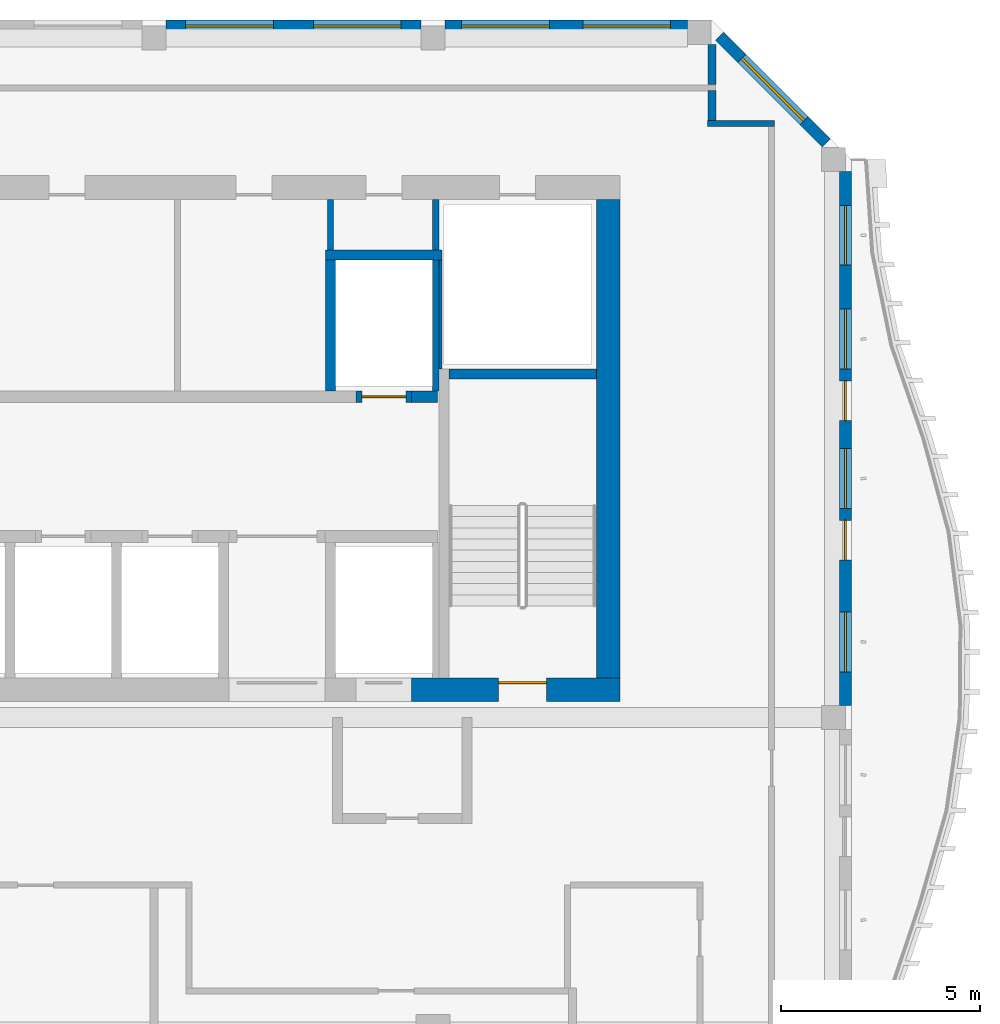
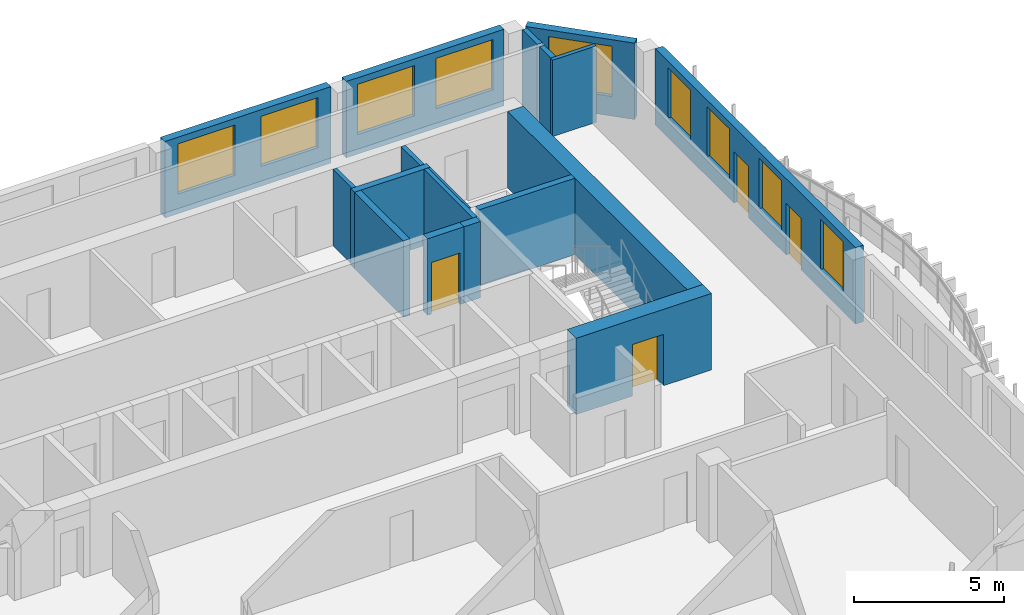
# One storey, part 8 of 17: 18 walls, 9 windows, 4 doors, 13 openings.
"""IFC4 building model written with IfcOpenShell, lengths in metres."""

from ifc_helpers import new_model, si_unit, direction, frame, frame_2d, origin, place, context, subcontext, project, spatial, rectangle, extrude, source, transform, mapped, material, layer, layer_set, type_object, element, fill, save


model = new_model("IFC4")

# Units and contexts
model_context = context("Model", 3, precision=1e-05, world=origin(), true_north=direction((0.0, 1.0)))
body_context = subcontext(model_context, "Body", "Model", "MODEL_VIEW")
ifc_project = project(units=[si_unit("LENGTHUNIT", "METRE"), si_unit("AREAUNIT", "SQUARE_METRE"), si_unit("VOLUMEUNIT", "CUBIC_METRE"), si_unit("PLANEANGLEUNIT", "RADIAN"), si_unit("MASSUNIT", "GRAM", prefix="KILO")], contexts=[model_context])

# Site, building, storey
site_placement = place(None, origin())
site = spatial("IfcSite", under=ifc_project, at=site_placement, CompositionType="ELEMENT")
building_placement = place(site_placement, origin())
building = spatial("IfcBuilding", under=site, at=building_placement, Name="Kilnfold Tower and Market Hall", CompositionType="ELEMENT")
storey_placement = place(building_placement, frame((0.0, 0.0, 301.800048828125)))
storey = spatial("IfcBuildingStorey", under=building, at=storey_placement, Name="L75", CompositionType="ELEMENT", Elevation=301.800048828125)

# Walls
ifc_material_1 = material(Name="Gypsum board on steel studs", Category="steel")
ifc_layer_1 = layer(ifc_material_1, 0.14990234375)
ifc_layer_set_1 = layer_set([ifc_layer_1], Name="Gypsum board on steel studs")
wall_type_1 = type_object("IfcWallType", Name="WALL CORRIDOR 150", PredefinedType="PARTITIONING", material=ifc_layer_set_1)
wall_1_placement = place(storey_placement, frame((21.574951171875, 22.89990234375, 0.0), z_axis=(0.0, 0.0, 1.0), x_axis=(-1.0, 0.0, 0.0)))
element("IfcWall", 1, at=wall_1_placement, inside=storey, type_object=wall_type_1, Name="Partition LY45.5", PredefinedType="PARTITIONING", context=body_context, shape_type="SweptSolid", body=[
    extrude(rectangle(XDim=1.68701171875, YDim=0.14990234375, at=frame_2d((0.843505859375, 0.0))), origin(), (0.0, 0.0, 1.0), 3.119873046875),
])
ifc_material_2 = material(Name="Gypsum board on steel studs", Category="steel")
ifc_layer_2 = layer(ifc_material_2, 0.199951171875)
ifc_layer_set_2 = layer_set([ifc_layer_2], Name="Gypsum board on steel studs")
wall_type_2 = type_object("IfcWallType", Name="WALL PARTY 200", PredefinedType="PARTITIONING", material=ifc_layer_set_2)
wall_2_placement = place(storey_placement, frame((20.0, 23.876953125, 0.0), z_axis=(0.0, 0.0, 1.0), x_axis=(0.0, 1.0, 0.0)))
element("IfcWall", 2, at=wall_2_placement, inside=storey, type_object=wall_type_2, Name="Partition LY45.60", PredefinedType="PARTITIONING", context=body_context, shape_type="SweptSolid", body=[
    extrude(rectangle(XDim=1.005126953125, YDim=0.199951171875, at=frame_2d((0.50244140625, 0.0))), origin(), (0.0, 0.0, 1.0), 3.119873046875),
])
wall_3_placement = place(storey_placement, frame((19.998046875, 23.72705078125, 0.0), z_axis=(0.0, 0.0, 1.0), x_axis=(0.0, -1.0, 0.0)))
element("IfcWall", 3, at=wall_3_placement, inside=storey, type_object=wall_type_2, Name="Partition LY45.61", PredefinedType="PARTITIONING", context=body_context, shape_type="SweptSolid", body=[
    extrude(rectangle(XDim=0.751953125, YDim=0.199951171875, at=frame_2d((0.3759765625, 0.0))), origin(), (0.0, 0.0, 1.0), 3.119873046875),
])
ifc_material_3 = material(Name="Concrete C50", Category="concrete")
ifc_layer_3 = layer(ifc_material_3, 0.25)
ifc_layer_set_3 = layer_set([ifc_layer_3], Name="Concrete C50")
wall_type_3 = type_object("IfcWallType", Name="CORE WALL 250 C50", PredefinedType="SHEAR", material=ifc_layer_set_3)
shared_shape_1 = source(origin(), body_context, "Body", "SweptSolid", [
    extrude(rectangle(XDim=3.7001953125, YDim=0.25, at=frame_2d((1.85009765625, 0.0))), origin(), (0.0, 0.0, 1.0), 3.119873046875),
])
wall_4_placement = place(storey_placement, frame((13.39990234375, 16.625, 0.0), z_axis=(0.0, 0.0, 1.0), x_axis=(1.0, 0.0, 0.0)))
element("IfcWall", 4, at=wall_4_placement, inside=storey, type_object=wall_type_3, Name="Stair enclosure ST2", PredefinedType="SHEAR", context=body_context, shape_type="MappedRepresentation", body=[
    mapped(shared_shape_1, transform((0.0, 0.0, 0.0))),
])
ifc_material_4 = material(Name="Concrete C50", Category="concrete")
ifc_layer_4 = layer(ifc_material_4, 0.300048828125)
ifc_layer_set_4 = layer_set([ifc_layer_4], Name="Concrete C50")
wall_type_4 = type_object("IfcWallType", Name="CORE WALL 300 C50", PredefinedType="SHEAR", material=ifc_layer_set_4)
shared_shape_2 = source(origin(), body_context, "Body", "SweptSolid", [
    extrude(rectangle(XDim=0.64013671875, YDim=0.300048828125, at=frame_2d((0.320068359375, 0.0))), origin(), (0.0, 0.0, 1.0), 3.119873046875),
])
wall_5_placement = place(storey_placement, frame((12.469970703125, 16.050048828125, 0.0), z_axis=(0.0, 0.0, 1.0), x_axis=(1.0, 0.0, 0.0)))
element("IfcWall", 5, at=wall_5_placement, inside=storey, type_object=wall_type_4, Name="Core spine wall", PredefinedType="SHEAR", context=body_context, shape_type="MappedRepresentation", body=[
    mapped(shared_shape_2, transform((0.0, 0.0, 0.0))),
])

# Wall, opening, door
ifc_material_5 = material(Name="Concrete C50", Category="concrete")
ifc_layer_5 = layer(ifc_material_5, 0.60009765625)
ifc_layer_set_5 = layer_set([ifc_layer_5], Name="Concrete C50")
wall_type_5 = type_object("IfcWallType", Name="CORE WALL 600 C50", PredefinedType="SHEAR", material=ifc_layer_set_5)
shared_shape_3 = source(origin(), body_context, "Body", "SweptSolid", [
    extrude(rectangle(XDim=5.22998046875, YDim=0.60009765625, at=frame_2d((2.614990234375, 0.0))), origin(), (0.0, 0.0, 1.0), 3.119873046875),
])
wall_6_placement = place(storey_placement, frame((12.469970703125, 8.699951171875, 0.0), z_axis=(0.0, 0.0, 1.0), x_axis=(1.0, 0.0, 0.0)))
wall_6 = element("IfcWall", 6, at=wall_6_placement, inside=storey, type_object=wall_type_5, Name="Core outer wall south", PredefinedType="SHEAR", context=body_context, shape_type="MappedRepresentation", body=[
    mapped(shared_shape_3, transform((0.0, 0.0, 0.0))),
])
opening_1_placement = place(wall_6_placement, frame((2.179931640625, 0.0, 0.0)))
opening_1 = element("IfcOpeningElement", 7, at=opening_1_placement, cuts=wall_6, Name="Opening SD1", PredefinedType="OPENING", context=body_context, shape_type="SweptSolid", body=[
    extrude(rectangle(XDim=1.199951171875, YDim=2.10009765625, at=frame_2d((0.60009765625, 1.050048828125))), frame((0.0, 0.31005859375, 0.0), z_axis=(0.0, -1.0, 0.0), x_axis=(1.0, 0.0, 0.0)), (0.0, 0.0, 1.0), 0.6201171875),
])
ifc_material_6 = material(Name="Steel door set with fire-resisting leaf", Category="steel")
door_type_1 = type_object("IfcDoorType", Name="STAIR FLOOR DOOR 1200X2100", OperationType="NOTDEFINED", PredefinedType="DOOR", material=ifc_material_6)
door_1_placement = place(opening_1_placement, origin())
door_1 = element("IfcDoor", 8, at=door_1_placement, inside=storey, type_object=door_type_1, Name="Exit stair ST2 door", OperationType="DOUBLE_DOOR_SINGLE_SWING", OverallHeight=2.10009765625, OverallWidth=1.199951171875, PredefinedType="DOOR", context=body_context, shape_type="SweptSolid", body=[
    extrude(rectangle(XDim=1.199951171875, YDim=2.10009765625, at=frame_2d((0.60009765625, 1.050048828125))), frame((0.0, 0.205078125, 0.0), z_axis=(0.0, -1.0, 0.0), x_axis=(1.0, 0.0, 0.0)), (0.0, 0.0, 1.0), 0.050048828125),
])
fill(opening_1, door_1)

# Wall
shared_shape_4 = source(origin(), body_context, "Body", "SweptSolid", [
    extrude(rectangle(XDim=12.0, YDim=0.60009765625, at=frame_2d((6.0, 0.0))), origin(), (0.0, 0.0, 1.0), 3.119873046875),
])
wall_7_placement = place(storey_placement, frame((17.39990234375, 9.0, 0.0), z_axis=(0.0, 0.0, 1.0), x_axis=(0.0, 1.0, 0.0)))
element("IfcWall", 9, at=wall_7_placement, inside=storey, type_object=wall_type_5, Name="Core outer wall east", PredefinedType="SHEAR", context=body_context, shape_type="MappedRepresentation", body=[
    mapped(shared_shape_4, transform((0.0, 0.0, 0.0))),
])

# Wall, openings, windows
ifc_material_7 = material(Name="Precast concrete C50/60", Category="concrete")
ifc_layer_6 = layer(ifc_material_7, 0.300048828125)
ifc_layer_set_6 = layer_set([ifc_layer_6], Name="Precast concrete C50/60")
wall_type_6 = type_object("IfcWallType", Name="PRECAST WALL 300", PredefinedType="SOLIDWALL", material=ifc_layer_set_6)
shared_shape_5 = source(origin(), body_context, "Body", "SweptSolid", [
    extrude(rectangle(XDim=6.39990234375, YDim=0.300048828125, at=frame_2d((3.199951171875, 0.0))), origin(), (0.0, 0.0, 1.0), 3.119873046875),
])
wall_8_placement = place(storey_placement, frame((12.699951171875, 25.35009765625, 0.0), z_axis=(0.0, 0.0, 1.0), x_axis=(-1.0, 0.0, 0.0)))
wall_8 = element("IfcWall", 10, at=wall_8_placement, inside=storey, type_object=wall_type_6, Name="External wall L75 N", PredefinedType="SOLIDWALL", context=body_context, shape_type="MappedRepresentation", body=[
    mapped(shared_shape_5, transform((0.0, 0.0, 0.0))),
])
opening_2_placement = place(wall_8_placement, frame((0.5, 0.0, 0.800048828125)))
opening_2 = element("IfcOpeningElement", 11, at=opening_2_placement, cuts=wall_8, Name="Opening W3", PredefinedType="OPENING", context=body_context, shape_type="SweptSolid", body=[
    extrude(rectangle(XDim=2.199951171875, YDim=2.050048828125, at=frame_2d((1.10009765625, 1.02490234375))), frame((0.0, 0.16015625, 0.0), z_axis=(0.0, -1.0, 0.0), x_axis=(1.0, 0.0, 0.0)), (0.0, 0.0, 1.0), 0.320068359375),
])
opening_3_placement = place(wall_8_placement, frame((3.699951171875, 0.0, 0.800048828125)))
opening_3 = element("IfcOpeningElement", 12, at=opening_3_placement, cuts=wall_8, Name="Opening W3", PredefinedType="OPENING", context=body_context, shape_type="SweptSolid", body=[
    extrude(rectangle(XDim=2.199951171875, YDim=2.050048828125, at=frame_2d((1.10009765625, 1.02490234375))), frame((0.0, 0.16015625, 0.0), z_axis=(0.0, -1.0, 0.0), x_axis=(1.0, 0.0, 0.0)), (0.0, 0.0, 1.0), 0.320068359375),
])
ifc_material_8 = material(Name="Aluminium frame and double glazing", Category="aluminium")
window_type_1 = type_object("IfcWindowType", Name="WINDOW W3 2200X2050", PartitioningType="SINGLE_PANEL", PredefinedType="WINDOW", material=ifc_material_8)
window_1_placement = place(opening_2_placement, origin())
window_1 = element("IfcWindow", 13, at=window_1_placement, inside=storey, type_object=window_type_1, Name="Window W3 L75 N-1", OverallHeight=2.050048828125, OverallWidth=2.199951171875, PartitioningType="SINGLE_PANEL", PredefinedType="WINDOW", context=body_context, shape_type="SweptSolid", body=[
    extrude(rectangle(XDim=2.199951171875, YDim=2.050048828125, at=frame_2d((1.10009765625, 1.02490234375))), frame((0.0, 0.030029296875, 0.0), z_axis=(0.0, -1.0, 0.0), x_axis=(1.0, 0.0, 0.0)), (0.0, 0.0, 1.0), 0.06005859375),
])
fill(opening_2, window_1)
window_2_placement = place(opening_3_placement, origin())
window_2 = element("IfcWindow", 14, at=window_2_placement, inside=storey, type_object=window_type_1, Name="Window W3 L75 N-2", OverallHeight=2.050048828125, OverallWidth=2.199951171875, PartitioningType="SINGLE_PANEL", PredefinedType="WINDOW", context=body_context, shape_type="SweptSolid", body=[
    extrude(rectangle(XDim=2.199951171875, YDim=2.050048828125, at=frame_2d((1.10009765625, 1.02490234375))), frame((0.0, 0.030029296875, 0.0), z_axis=(0.0, -1.0, 0.0), x_axis=(1.0, 0.0, 0.0)), (0.0, 0.0, 1.0), 0.06005859375),
])
fill(opening_3, window_2)

# Wall, opening, window
shared_shape_6 = source(origin(), body_context, "Body", "SweptSolid", [
    extrude(rectangle(XDim=3.783203125, YDim=0.300048828125, at=frame_2d((1.8916015625, 0.0))), origin(), (0.0, 0.0, 1.0), 3.119873046875),
])
wall_9_placement = place(storey_placement, frame((22.868896484375, 22.4189453125, 0.0), z_axis=(0.0, 0.0, 1.0), x_axis=(-0.707106781187, 0.707106781187, 0.0)))
wall_9 = element("IfcWall", 15, at=wall_9_placement, inside=storey, type_object=wall_type_6, Name="External wall L75 NE", PredefinedType="SOLIDWALL", context=body_context, shape_type="MappedRepresentation", body=[
    mapped(shared_shape_6, transform((0.0, 0.0, 0.0))),
])
opening_4_placement = place(wall_9_placement, frame((0.79150390625, 0.0, 0.800048828125)))
opening_4 = element("IfcOpeningElement", 16, at=opening_4_placement, cuts=wall_9, Name="Opening W3", PredefinedType="OPENING", context=body_context, shape_type="SweptSolid", body=[
    extrude(rectangle(XDim=2.199951171875, YDim=2.050048828125, at=frame_2d((1.10009765625, 1.02490234375))), frame((0.0, 0.16015625, 0.0), z_axis=(0.0, -1.0, 0.0), x_axis=(1.0, 0.0, 0.0)), (0.0, 0.0, 1.0), 0.320068359375),
])
window_3_placement = place(opening_4_placement, origin())
window_3 = element("IfcWindow", 17, at=window_3_placement, inside=storey, type_object=window_type_1, Name="Window W3 L75 NE-1", OverallHeight=2.050048828125, OverallWidth=2.199951171875, PartitioningType="SINGLE_PANEL", PredefinedType="WINDOW", context=body_context, shape_type="SweptSolid", body=[
    extrude(rectangle(XDim=2.199951171875, YDim=2.050048828125, at=frame_2d((1.10009765625, 1.02490234375))), frame((0.0, 0.030029296875, 0.0), z_axis=(0.0, -1.0, 0.0), x_axis=(1.0, 0.0, 0.0)), (0.0, 0.0, 1.0), 0.06005859375),
])
fill(opening_4, window_3)

# Wall, openings, doors, windows
shared_shape_7 = source(origin(), body_context, "Body", "SweptSolid", [
    extrude(rectangle(XDim=13.39990234375, YDim=0.300048828125, at=frame_2d((6.699951171875, 0.0))), origin(), (0.0, 0.0, 1.0), 3.119873046875),
])
wall_10_placement = place(storey_placement, frame((23.35009765625, 8.300048828125, 0.0), z_axis=(0.0, 0.0, 1.0), x_axis=(0.0, 1.0, 0.0)))
wall_10 = element("IfcWall", 18, at=wall_10_placement, inside=storey, type_object=wall_type_6, Name="External wall L75 E", PredefinedType="SOLIDWALL", context=body_context, shape_type="MappedRepresentation", body=[
    mapped(shared_shape_7, transform((0.0, 0.0, 0.0))),
])
opening_5_placement = place(wall_10_placement, frame((0.85009765625, 0.0, 0.800048828125)))
opening_5 = element("IfcOpeningElement", 19, at=opening_5_placement, cuts=wall_10, Name="Opening W5", PredefinedType="OPENING", context=body_context, shape_type="SweptSolid", body=[
    extrude(rectangle(XDim=1.5, YDim=2.050048828125, at=frame_2d((0.75, 1.02490234375))), frame((0.0, 0.16015625, 0.0), z_axis=(0.0, -1.0, 0.0), x_axis=(1.0, 0.0, 0.0)), (0.0, 0.0, 1.0), 0.320068359375),
])
opening_6_placement = place(wall_10_placement, frame((4.949951171875, 0.0, 0.800048828125)))
opening_6 = element("IfcOpeningElement", 20, at=opening_6_placement, cuts=wall_10, Name="Opening W5", PredefinedType="OPENING", context=body_context, shape_type="SweptSolid", body=[
    extrude(rectangle(XDim=1.5, YDim=2.050048828125, at=frame_2d((0.75, 1.02490234375))), frame((0.0, 0.16015625, 0.0), z_axis=(0.0, -1.0, 0.0), x_axis=(1.0, 0.0, 0.0)), (0.0, 0.0, 1.0), 0.320068359375),
])
opening_7_placement = place(wall_10_placement, frame((3.64990234375, 0.0, 0.0)))
opening_7 = element("IfcOpeningElement", 21, at=opening_7_placement, cuts=wall_10, Name="Opening BD1", PredefinedType="OPENING", context=body_context, shape_type="SweptSolid", body=[
    extrude(rectangle(XDim=1.0, YDim=2.10009765625, at=frame_2d((0.5, 1.050048828125))), frame((0.0, 0.16015625, 0.0), z_axis=(0.0, -1.0, 0.0), x_axis=(1.0, 0.0, 0.0)), (0.0, 0.0, 1.0), 0.320068359375),
])
opening_8_placement = place(wall_10_placement, frame((8.449951171875, 0.0, 0.800048828125)))
opening_8 = element("IfcOpeningElement", 22, at=opening_8_placement, cuts=wall_10, Name="Opening W5", PredefinedType="OPENING", context=body_context, shape_type="SweptSolid", body=[
    extrude(rectangle(XDim=1.5, YDim=2.050048828125, at=frame_2d((0.75, 1.02490234375))), frame((0.0, 0.16015625, 0.0), z_axis=(0.0, -1.0, 0.0), x_axis=(1.0, 0.0, 0.0)), (0.0, 0.0, 1.0), 0.320068359375),
])
opening_9_placement = place(wall_10_placement, frame((7.14990234375, 0.0, 0.0)))
opening_9 = element("IfcOpeningElement", 23, at=opening_9_placement, cuts=wall_10, Name="Opening BD1", PredefinedType="OPENING", context=body_context, shape_type="SweptSolid", body=[
    extrude(rectangle(XDim=1.0, YDim=2.10009765625, at=frame_2d((0.5, 1.050048828125))), frame((0.0, 0.16015625, 0.0), z_axis=(0.0, -1.0, 0.0), x_axis=(1.0, 0.0, 0.0)), (0.0, 0.0, 1.0), 0.320068359375),
])
opening_10_placement = place(wall_10_placement, frame((11.050048828125, 0.0, 0.800048828125)))
opening_10 = element("IfcOpeningElement", 24, at=opening_10_placement, cuts=wall_10, Name="Opening W5", PredefinedType="OPENING", context=body_context, shape_type="SweptSolid", body=[
    extrude(rectangle(XDim=1.5, YDim=2.050048828125, at=frame_2d((0.75, 1.02490234375))), frame((0.0, 0.16015625, 0.0), z_axis=(0.0, -1.0, 0.0), x_axis=(1.0, 0.0, 0.0)), (0.0, 0.0, 1.0), 0.320068359375),
])
ifc_material_9 = material(Name="Aluminium frame and double glazing", Category="aluminium")
door_type_2 = type_object("IfcDoorType", Name="BALCONY DOOR 1000X2100", OperationType="NOTDEFINED", PredefinedType="DOOR", material=ifc_material_9)
door_2_placement = place(opening_7_placement, origin())
door_2 = element("IfcDoor", 25, at=door_2_placement, inside=storey, type_object=door_type_2, Name="Balcony door BD1 L75 E-2", OperationType="SINGLE_SWING_RIGHT", OverallHeight=2.10009765625, OverallWidth=1.0, PredefinedType="DOOR", context=body_context, shape_type="SweptSolid", body=[
    extrude(rectangle(XDim=1.0, YDim=2.10009765625, at=frame_2d((0.5, 1.050048828125))), frame((0.0, 0.02490234375, 0.0), z_axis=(0.0, -1.0, 0.0), x_axis=(1.0, 0.0, 0.0)), (0.0, 0.0, 1.0), 0.050048828125),
])
fill(opening_7, door_2)
door_3_placement = place(opening_9_placement, origin())
door_3 = element("IfcDoor", 26, at=door_3_placement, inside=storey, type_object=door_type_2, Name="Balcony door BD1 L75 E-3", OperationType="SINGLE_SWING_LEFT", OverallHeight=2.10009765625, OverallWidth=1.0, PredefinedType="DOOR", context=body_context, shape_type="SweptSolid", body=[
    extrude(rectangle(XDim=1.0, YDim=2.10009765625, at=frame_2d((0.5, 1.050048828125))), frame((0.0, 0.02490234375, 0.0), z_axis=(0.0, -1.0, 0.0), x_axis=(1.0, 0.0, 0.0)), (0.0, 0.0, 1.0), 0.050048828125),
])
fill(opening_9, door_3)
ifc_material_10 = material(Name="Aluminium frame and double glazing", Category="aluminium")
window_type_2 = type_object("IfcWindowType", Name="WINDOW W5 1500X2050", PartitioningType="SINGLE_PANEL", PredefinedType="WINDOW", material=ifc_material_10)
window_4_placement = place(opening_5_placement, origin())
window_4 = element("IfcWindow", 27, at=window_4_placement, inside=storey, type_object=window_type_2, Name="Window W5 L75 E-1", OverallHeight=2.050048828125, OverallWidth=1.5, PartitioningType="SINGLE_PANEL", PredefinedType="WINDOW", context=body_context, shape_type="SweptSolid", body=[
    extrude(rectangle(XDim=1.5, YDim=2.050048828125, at=frame_2d((0.75, 1.02490234375))), frame((0.0, 0.030029296875, 0.0), z_axis=(0.0, -1.0, 0.0), x_axis=(1.0, 0.0, 0.0)), (0.0, 0.0, 1.0), 0.06005859375),
])
fill(opening_5, window_4)
window_5_placement = place(opening_6_placement, origin())
window_5 = element("IfcWindow", 28, at=window_5_placement, inside=storey, type_object=window_type_2, Name="Window W5 L75 E-2", OverallHeight=2.050048828125, OverallWidth=1.5, PartitioningType="SINGLE_PANEL", PredefinedType="WINDOW", context=body_context, shape_type="SweptSolid", body=[
    extrude(rectangle(XDim=1.5, YDim=2.050048828125, at=frame_2d((0.75, 1.02490234375))), frame((0.0, 0.030029296875, 0.0), z_axis=(0.0, -1.0, 0.0), x_axis=(1.0, 0.0, 0.0)), (0.0, 0.0, 1.0), 0.06005859375),
])
fill(opening_6, window_5)
window_6_placement = place(opening_8_placement, origin())
window_6 = element("IfcWindow", 29, at=window_6_placement, inside=storey, type_object=window_type_2, Name="Window W5 L75 E-3", OverallHeight=2.050048828125, OverallWidth=1.5, PartitioningType="SINGLE_PANEL", PredefinedType="WINDOW", context=body_context, shape_type="SweptSolid", body=[
    extrude(rectangle(XDim=1.5, YDim=2.050048828125, at=frame_2d((0.75, 1.02490234375))), frame((0.0, 0.030029296875, 0.0), z_axis=(0.0, -1.0, 0.0), x_axis=(1.0, 0.0, 0.0)), (0.0, 0.0, 1.0), 0.06005859375),
])
fill(opening_8, window_6)
window_7_placement = place(opening_10_placement, origin())
window_7 = element("IfcWindow", 30, at=window_7_placement, inside=storey, type_object=window_type_2, Name="Window W5 L75 E-4", OverallHeight=2.050048828125, OverallWidth=1.5, PartitioningType="SINGLE_PANEL", PredefinedType="WINDOW", context=body_context, shape_type="SweptSolid", body=[
    extrude(rectangle(XDim=1.5, YDim=2.050048828125, at=frame_2d((0.75, 1.02490234375))), frame((0.0, 0.030029296875, 0.0), z_axis=(0.0, -1.0, 0.0), x_axis=(1.0, 0.0, 0.0)), (0.0, 0.0, 1.0), 0.06005859375),
])
fill(opening_10, window_7)

# Wall, openings, windows
shared_shape_8 = source(origin(), body_context, "Body", "SweptSolid", [
    extrude(rectangle(XDim=6.081787109375, YDim=0.300048828125, at=frame_2d((3.041015625, 0.0))), origin(), (0.0, 0.0, 1.0), 3.119873046875),
])
wall_11_placement = place(storey_placement, frame((19.3818359375, 25.35009765625, 0.0), z_axis=(0.0, 0.0, 1.0), x_axis=(-1.0, 0.0, 0.0)))
wall_11 = element("IfcWall", 31, at=wall_11_placement, inside=storey, type_object=wall_type_6, Name="External wall L75 N", PredefinedType="SOLIDWALL", context=body_context, shape_type="MappedRepresentation", body=[
    mapped(shared_shape_8, transform((0.0, 0.0, 0.0))),
])
opening_11_placement = place(wall_11_placement, frame((0.42041015625, 0.0, 0.800048828125)))
opening_11 = element("IfcOpeningElement", 32, at=opening_11_placement, cuts=wall_11, Name="Opening W3", PredefinedType="OPENING", context=body_context, shape_type="SweptSolid", body=[
    extrude(rectangle(XDim=2.199951171875, YDim=2.050048828125, at=frame_2d((1.10009765625, 1.02490234375))), frame((0.0, 0.16015625, 0.0), z_axis=(0.0, -1.0, 0.0), x_axis=(1.0, 0.0, 0.0)), (0.0, 0.0, 1.0), 0.320068359375),
])
opening_12_placement = place(wall_11_placement, frame((3.461181640625, 0.0, 0.800048828125)))
opening_12 = element("IfcOpeningElement", 33, at=opening_12_placement, cuts=wall_11, Name="Opening W3", PredefinedType="OPENING", context=body_context, shape_type="SweptSolid", body=[
    extrude(rectangle(XDim=2.199951171875, YDim=2.050048828125, at=frame_2d((1.10009765625, 1.02490234375))), frame((0.0, 0.16015625, 0.0), z_axis=(0.0, -1.0, 0.0), x_axis=(1.0, 0.0, 0.0)), (0.0, 0.0, 1.0), 0.320068359375),
])
window_8_placement = place(opening_11_placement, origin())
window_8 = element("IfcWindow", 34, at=window_8_placement, inside=storey, type_object=window_type_1, Name="Window W3 L75 N-1", OverallHeight=2.050048828125, OverallWidth=2.199951171875, PartitioningType="SINGLE_PANEL", PredefinedType="WINDOW", context=body_context, shape_type="SweptSolid", body=[
    extrude(rectangle(XDim=2.199951171875, YDim=2.050048828125, at=frame_2d((1.10009765625, 1.02490234375))), frame((0.0, 0.030029296875, 0.0), z_axis=(0.0, -1.0, 0.0), x_axis=(1.0, 0.0, 0.0)), (0.0, 0.0, 1.0), 0.06005859375),
])
fill(opening_11, window_8)
window_9_placement = place(opening_12_placement, origin())
window_9 = element("IfcWindow", 35, at=window_9_placement, inside=storey, type_object=window_type_1, Name="Window W3 L75 N-2", OverallHeight=2.050048828125, OverallWidth=2.199951171875, PartitioningType="SINGLE_PANEL", PredefinedType="WINDOW", context=body_context, shape_type="SweptSolid", body=[
    extrude(rectangle(XDim=2.199951171875, YDim=2.050048828125, at=frame_2d((1.10009765625, 1.02490234375))), frame((0.0, 0.030029296875, 0.0), z_axis=(0.0, -1.0, 0.0), x_axis=(1.0, 0.0, 0.0)), (0.0, 0.0, 1.0), 0.06005859375),
])
fill(opening_12, window_9)

# Wall, opening, door
ifc_material_11 = material(Name="Gypsum shaft wall system")
ifc_layer_7 = layer(ifc_material_11, 0.300048828125)
ifc_layer_set_7 = layer_set([ifc_layer_7], Name="Gypsum shaft wall system")
wall_type_7 = type_object("IfcWallType", Name="SHAFT WALL 300", PredefinedType="PARTITIONING", material=ifc_layer_set_7)
shared_shape_9 = source(origin(), body_context, "Body", "SweptSolid", [
    extrude(rectangle(XDim=1.39990234375, YDim=0.300048828125, at=frame_2d((0.699951171875, 0.0))), origin(), (0.0, 0.0, 1.0), 3.119873046875),
])
wall_12_placement = place(storey_placement, frame((11.070068359375, 16.050048828125, 0.0), z_axis=(0.0, 0.0, 1.0), x_axis=(1.0, 0.0, 0.0)))
wall_12 = element("IfcWall", 36, at=wall_12_placement, inside=storey, type_object=wall_type_7, Name="Lift shaft front wall", PredefinedType="PARTITIONING", context=body_context, shape_type="MappedRepresentation", body=[
    mapped(shared_shape_9, transform((0.0, 0.0, 0.0))),
])
opening_13_placement = place(wall_12_placement, frame((0.14990234375, 0.0, 0.0)))
opening_13 = element("IfcOpeningElement", 37, at=opening_13_placement, cuts=wall_12, Name="Opening LD2", PredefinedType="OPENING", context=body_context, shape_type="SweptSolid", body=[
    extrude(rectangle(XDim=1.10009765625, YDim=2.10009765625, at=frame_2d((0.550048828125, 1.050048828125))), frame((0.0, 0.16015625, 0.0), z_axis=(0.0, -1.0, 0.0), x_axis=(1.0, 0.0, 0.0)), (0.0, 0.0, 1.0), 0.320068359375),
])
ifc_material_12 = material(Name="Steel door set with fire-resisting leaf", Category="steel")
door_type_3 = type_object("IfcDoorType", Name="LANDING DOOR 1100X2100", OperationType="NOTDEFINED", PredefinedType="DOOR", material=ifc_material_12)
door_4_placement = place(opening_13_placement, origin())
door_4 = element("IfcDoor", 38, at=door_4_placement, inside=storey, type_object=door_type_3, Name="Landing door HR6", OperationType="DOUBLE_DOOR_SLIDING", OverallHeight=2.10009765625, OverallWidth=1.10009765625, PredefinedType="DOOR", context=body_context, shape_type="SweptSolid", body=[
    extrude(rectangle(XDim=1.10009765625, YDim=2.10009765625, at=frame_2d((0.550048828125, 1.050048828125))), frame((0.0, 0.02490234375, 0.0), z_axis=(0.0, -1.0, 0.0), x_axis=(1.0, 0.0, 0.0)), (0.0, 0.0, 1.0), 0.050048828125),
])
fill(opening_13, door_4)

# Walls
ifc_material_13 = material(Name="Gypsum shaft wall system")
ifc_layer_8 = layer(ifc_material_13, 0.1650390625)
ifc_layer_set_8 = layer_set([ifc_layer_8], Name="Gypsum shaft wall system")
wall_type_8 = type_object("IfcWallType", Name="SHAFT WALL 165", PredefinedType="PARTITIONING", material=ifc_layer_set_8)
shared_shape_10 = source(origin(), body_context, "Body", "SweptSolid", [
    extrude(rectangle(XDim=3.275146484375, YDim=0.1650390625, at=frame_2d((1.6376953125, 0.0))), origin(), (0.0, 0.0, 1.0), 3.119873046875),
])
wall_13_placement = place(storey_placement, frame((13.0673828125, 16.199951171875, 0.0), z_axis=(0.0, 0.0, 1.0), x_axis=(0.0, 1.0, 0.0)))
element("IfcWall", 39, at=wall_13_placement, inside=storey, type_object=wall_type_8, Name="Lift shaft wall", PredefinedType="PARTITIONING", context=body_context, shape_type="MappedRepresentation", body=[
    mapped(shared_shape_10, transform((0.0, 0.0, 0.0))),
])
shared_shape_11 = source(origin(), body_context, "Body", "SweptSolid", [
    extrude(rectangle(XDim=1.27490234375, YDim=0.1650390625, at=frame_2d((0.637451171875, 0.0))), origin(), (0.0, 0.0, 1.0), 3.119873046875),
])
wall_14_placement = place(storey_placement, frame((13.0673828125, 19.72509765625, 0.0), z_axis=(0.0, 0.0, 1.0), x_axis=(0.0, 1.0, 0.0)))
element("IfcWall", 40, at=wall_14_placement, inside=storey, type_object=wall_type_8, Name="Lift shaft wall", PredefinedType="PARTITIONING", context=body_context, shape_type="MappedRepresentation", body=[
    mapped(shared_shape_11, transform((0.0, 0.0, 0.0))),
])
ifc_material_14 = material(Name="Gypsum shaft wall system")
ifc_layer_9 = layer(ifc_material_14, 0.25)
ifc_layer_set_9 = layer_set([ifc_layer_9], Name="Gypsum shaft wall system")
wall_type_9 = type_object("IfcWallType", Name="SHAFT WALL 250", PredefinedType="PARTITIONING", material=ifc_layer_set_9)
shared_shape_12 = source(origin(), body_context, "Body", "SweptSolid", [
    extrude(rectangle(XDim=3.275146484375, YDim=0.25, at=frame_2d((1.6376953125, 0.0))), origin(), (0.0, 0.0, 1.0), 3.119873046875),
])
wall_15_placement = place(storey_placement, frame((10.429931640625, 16.199951171875, 0.0), z_axis=(0.0, 0.0, 1.0), x_axis=(0.0, 1.0, 0.0)))
element("IfcWall", 41, at=wall_15_placement, inside=storey, type_object=wall_type_9, Name="Lift shaft wall", PredefinedType="PARTITIONING", context=body_context, shape_type="MappedRepresentation", body=[
    mapped(shared_shape_12, transform((0.0, 0.0, 0.0))),
])
ifc_material_15 = material(Name="Gypsum shaft wall system")
ifc_layer_10 = layer(ifc_material_15, 0.0849609375)
ifc_layer_set_10 = layer_set([ifc_layer_10], Name="Gypsum shaft wall system")
wall_type_10 = type_object("IfcWallType", Name="SHAFT WALL 85", PredefinedType="PARTITIONING", material=ifc_layer_set_10)
shared_shape_13 = source(origin(), body_context, "Body", "SweptSolid", [
    extrude(rectangle(XDim=2.72509765625, YDim=0.0849609375, at=frame_2d((1.362548828125, 0.0))), origin(), (0.0, 0.0, 1.0), 3.119873046875),
])
wall_16_placement = place(storey_placement, frame((13.1923828125, 16.75, 0.0), z_axis=(0.0, 0.0, 1.0), x_axis=(0.0, 1.0, 0.0)))
element("IfcWall", 42, at=wall_16_placement, inside=storey, type_object=wall_type_10, Name="Lift shaft wall", PredefinedType="PARTITIONING", context=body_context, shape_type="MappedRepresentation", body=[
    mapped(shared_shape_13, transform((0.0, 0.0, 0.0))),
])
ifc_material_16 = material(Name="Gypsum shaft wall system")
ifc_layer_11 = layer(ifc_material_16, 0.14990234375)
ifc_layer_set_11 = layer_set([ifc_layer_11], Name="Gypsum shaft wall system")
wall_type_11 = type_object("IfcWallType", Name="ROOM WALL 150", PredefinedType="PARTITIONING", material=ifc_layer_set_11)
shared_shape_14 = source(origin(), body_context, "Body", "SweptSolid", [
    extrude(rectangle(XDim=1.27490234375, YDim=0.14990234375, at=frame_2d((0.637451171875, 0.0))), origin(), (0.0, 0.0, 1.0), 3.119873046875),
])
wall_17_placement = place(storey_placement, frame((10.429931640625, 19.72509765625, 0.0), z_axis=(0.0, 0.0, 1.0), x_axis=(0.0, 1.0, 0.0)))
element("IfcWall", 43, at=wall_17_placement, inside=storey, type_object=wall_type_11, Name="Core room wall", PredefinedType="PARTITIONING", context=body_context, shape_type="MappedRepresentation", body=[
    mapped(shared_shape_14, transform((0.0, 0.0, 0.0))),
])
shared_shape_15 = source(origin(), body_context, "Body", "SweptSolid", [
    extrude(rectangle(XDim=2.93017578125, YDim=0.25, at=frame_2d((1.465087890625, 0.0))), origin(), (0.0, 0.0, 1.0), 3.119873046875),
])
wall_18_placement = place(storey_placement, frame((10.304931640625, 19.60009765625, 0.0), z_axis=(0.0, 0.0, 1.0), x_axis=(1.0, 0.0, 0.0)))
element("IfcWall", 44, at=wall_18_placement, inside=storey, type_object=wall_type_9, Name="Lift shaft wall", PredefinedType="PARTITIONING", context=body_context, shape_type="MappedRepresentation", body=[
    mapped(shared_shape_15, transform((0.0, 0.0, 0.0))),
])

save(model, "model.ifc")
